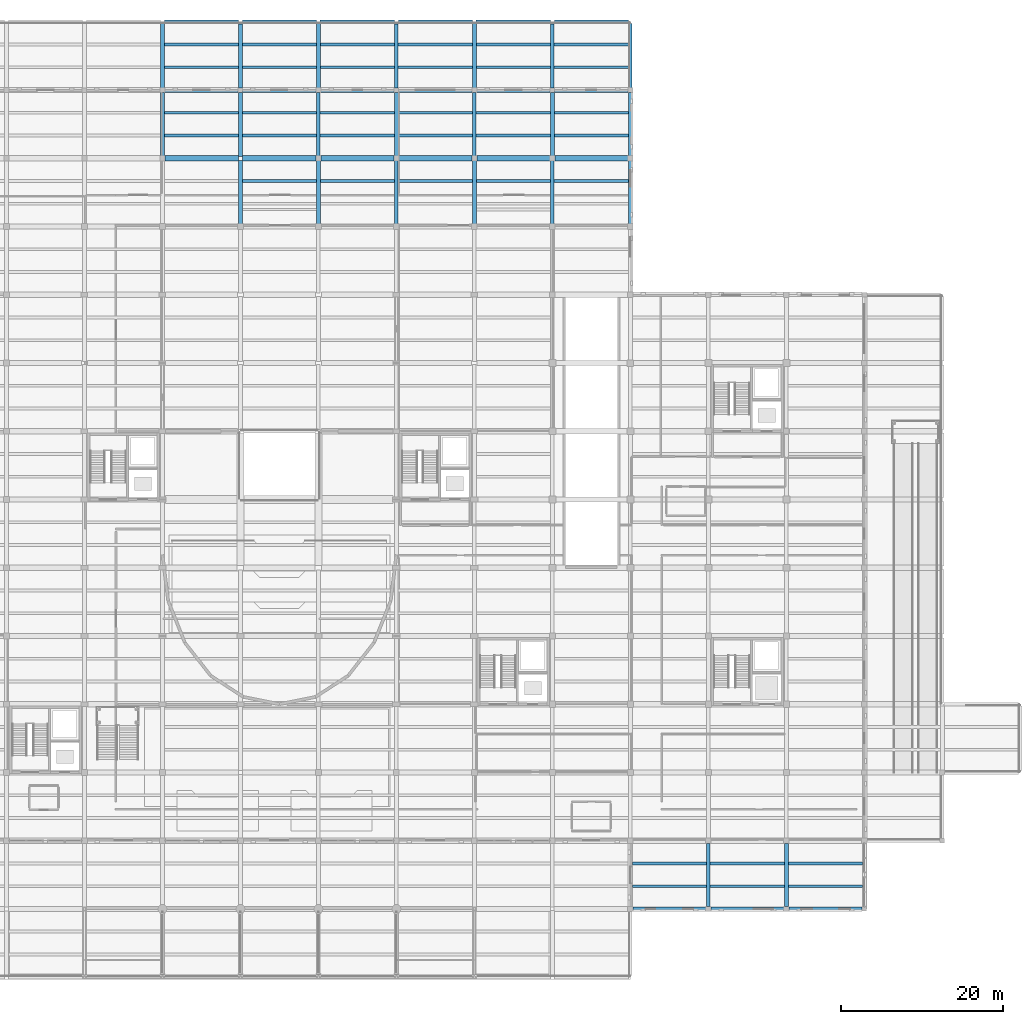
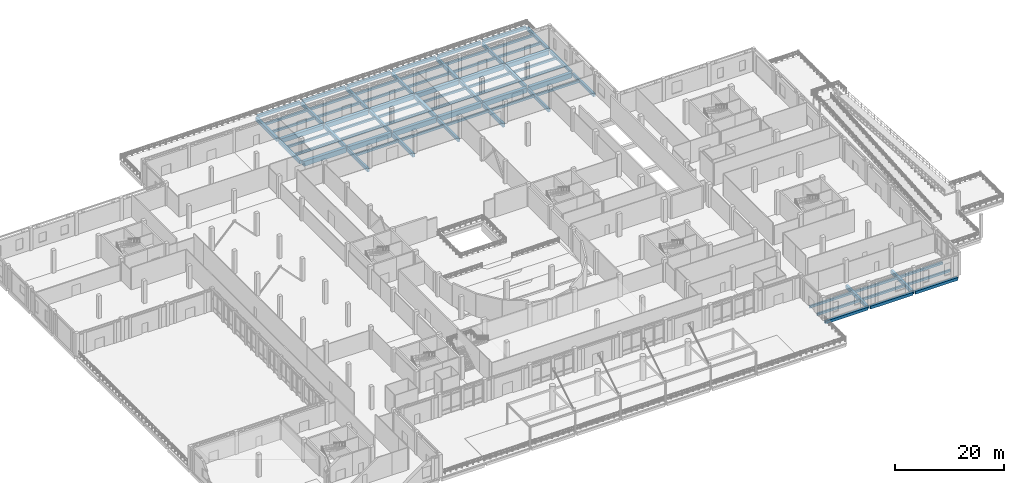
# One storey, part 34 of 71: 78 beams.
"""IFC4 building model written with IfcOpenShell, lengths in metres."""

from ifc_helpers import new_model, si_unit, direction, frame, origin, origin_2d, place, context, subcontext, project, spatial, rectangle, extrude, material, material_profile, profile_set, type_object, element, save


model = new_model("IFC4")

# Units and contexts
model_context = context("Model", 3, precision=1e-05, world=origin(), true_north=direction((0.0, 1.0)))
body_context = subcontext(model_context, "Body", "Model", "MODEL_VIEW")
ifc_project = project(units=[si_unit("LENGTHUNIT", "METRE"), si_unit("AREAUNIT", "SQUARE_METRE"), si_unit("VOLUMEUNIT", "CUBIC_METRE"), si_unit("PLANEANGLEUNIT", "RADIAN"), si_unit("MASSUNIT", "GRAM", prefix="KILO")], contexts=[model_context])

# Site, building, storey
site_placement = place(None, origin())
site = spatial("IfcSite", under=ifc_project, at=site_placement, CompositionType="ELEMENT")
building_placement = place(site_placement, origin())
building = spatial("IfcBuilding", under=site, at=building_placement, Name="Lornevale Opera House", CompositionType="ELEMENT")
storey_placement = place(building_placement, origin())
storey = spatial("IfcBuildingStorey", under=building, at=storey_placement, Name="L01", CompositionType="ELEMENT", Elevation=0.0)

# Beams
ifc_material_1 = material(Name="Concrete 35 MPa (CSA A23.1 N)", Category="concrete")
ifc_material_profile_1 = material_profile(ifc_material_1, rectangle(XDim=0.449951171875, YDim=0.75, at=origin_2d()), Name="RC450x750")
ifc_profile_set_1 = profile_set([ifc_material_profile_1], Name="Concrete 35 MPa (CSA A23.1 N)")
beam_type_1 = type_object("IfcBeamType", Name="Concrete Floor Beam 450x750", PredefinedType="USERDEFINED", material=ifc_profile_set_1)
for number, where, z_axis, x_axis, name in (
    (1, (67.199951171875, 101.10009765625, -0.735107421875), (0.0, 1.0, 0.0), (-1.0, 0.0, 0.0), "Concrete Floor Beam 450x750 1171"),
    (2, (76.800048828125, 92.72509765625, -0.81494140625), (0.0, 1.0, 0.0), (-1.0, 0.0, 0.0), "Concrete Floor Beam 450x750 1183"),
):
    element("IfcBeam", number, at=place(storey_placement, frame(where, z_axis=z_axis, x_axis=x_axis)), inside=storey, type_object=beam_type_1, Name=name, ObjectType="GIRDER", PredefinedType="USERDEFINED", context=body_context, shape_type="SweptSolid", body=[
        extrude(rectangle(XDim=0.449951171875, YDim=0.75, at=origin_2d()), origin(), (0.0, 0.0, 1.0), 7.824951171875),
    ])
beam_1_placement = place(storey_placement, frame((76.800048828125, 109.47509765625, -0.735107421875), z_axis=(0.0, 1.0, 0.0), x_axis=(-1.0, 0.0, 0.0)))
element("IfcBeam", 3, at=beam_1_placement, inside=storey, type_object=beam_type_1, Name="Concrete Floor Beam 450x750 1185", ObjectType="GIRDER", PredefinedType="USERDEFINED", context=body_context, shape_type="SweptSolid", body=[
    extrude(rectangle(XDim=0.449951171875, YDim=0.75, at=origin_2d()), origin(), (0.0, 0.0, 1.0), 7.875),
])
beam_2_placement = place(storey_placement, frame((86.39990234375, 101.10009765625, -0.735107421875), z_axis=(0.0, 1.0, 0.0), x_axis=(-1.0, 0.0, 0.0)))
element("IfcBeam", 4, at=beam_2_placement, inside=storey, type_object=beam_type_1, Name="Concrete Floor Beam 450x750 1197", ObjectType="GIRDER", PredefinedType="USERDEFINED", context=body_context, shape_type="SweptSolid", body=[
    extrude(rectangle(XDim=0.449951171875, YDim=0.75, at=origin_2d()), origin(), (0.0, 0.0, 1.0), 7.824951171875),
])
beam_3_placement = place(storey_placement, frame((96.0, 92.72509765625, -0.81494140625), z_axis=(0.0, 1.0, 0.0), x_axis=(-1.0, 0.0, 0.0)))
element("IfcBeam", 5, at=beam_3_placement, inside=storey, type_object=beam_type_1, Name="Concrete Floor Beam 450x750 1210", ObjectType="GIRDER", PredefinedType="USERDEFINED", context=body_context, shape_type="SweptSolid", body=[
    extrude(rectangle(XDim=0.449951171875, YDim=0.75, at=origin_2d()), origin(), (0.0, 0.0, 1.0), 7.77490234375),
])
beam_4_placement = place(storey_placement, frame((96.0, 109.47509765625, -0.735107421875), z_axis=(0.0, 1.0, 0.0), x_axis=(-1.0, 0.0, 0.0)))
element("IfcBeam", 6, at=beam_4_placement, inside=storey, type_object=beam_type_1, Name="Concrete Floor Beam 450x750 1212", ObjectType="GIRDER", PredefinedType="USERDEFINED", context=body_context, shape_type="SweptSolid", body=[
    extrude(rectangle(XDim=0.449951171875, YDim=0.75, at=origin_2d()), origin(), (0.0, 0.0, 1.0), 7.875),
])
beam_5_placement = place(storey_placement, frame((105.60009765625, 101.10009765625, -0.735107421875), z_axis=(0.0, 1.0, 0.0), x_axis=(-1.0, 0.0, 0.0)))
element("IfcBeam", 7, at=beam_5_placement, inside=storey, type_object=beam_type_1, Name="Concrete Floor Beam 450x750 1225", ObjectType="GIRDER", PredefinedType="USERDEFINED", context=body_context, shape_type="SweptSolid", body=[
    extrude(rectangle(XDim=0.449951171875, YDim=0.75, at=origin_2d()), origin(), (0.0, 0.0, 1.0), 7.824951171875),
])
beam_6_placement = place(storey_placement, frame((115.199951171875, 92.72509765625, -0.81494140625), z_axis=(0.0, 1.0, 0.0), x_axis=(-1.0, 0.0, 0.0)))
element("IfcBeam", 8, at=beam_6_placement, inside=storey, type_object=beam_type_1, Name="Concrete Floor Beam 450x750 1238", ObjectType="GIRDER", PredefinedType="USERDEFINED", context=body_context, shape_type="SweptSolid", body=[
    extrude(rectangle(XDim=0.449951171875, YDim=0.75, at=origin_2d()), origin(), (0.0, 0.0, 1.0), 7.77490234375),
])
beam_7_placement = place(storey_placement, frame((115.199951171875, 109.47509765625, -0.735107421875), z_axis=(0.0, 1.0, 0.0), x_axis=(-1.0, 0.0, 0.0)))
element("IfcBeam", 9, at=beam_7_placement, inside=storey, type_object=beam_type_1, Name="Concrete Floor Beam 450x750 1240", ObjectType="GIRDER", PredefinedType="USERDEFINED", context=body_context, shape_type="SweptSolid", body=[
    extrude(rectangle(XDim=0.449951171875, YDim=0.75, at=origin_2d()), origin(), (0.0, 0.0, 1.0), 7.875),
])
beam_8_placement = place(storey_placement, frame((134.39990234375, 8.699951171875, -0.81494140625), z_axis=(0.0, 1.0, 0.0), x_axis=(-1.0, 0.0, 0.0)))
element("IfcBeam", 10, at=beam_8_placement, inside=storey, type_object=beam_type_1, Name="Concrete Floor Beam 450x750 1255", ObjectType="GIRDER", PredefinedType="USERDEFINED", context=body_context, shape_type="SweptSolid", body=[
    extrude(rectangle(XDim=0.449951171875, YDim=0.75, at=origin_2d()), origin(), (0.0, 0.0, 1.0), 7.775146484375),
])
ifc_material_profile_2 = material_profile(ifc_material_1, rectangle(XDim=0.5, YDim=0.800048828125, at=origin_2d()), Name="RC500x800")
ifc_profile_set_2 = profile_set([ifc_material_profile_2], Name="Concrete 35 MPa (CSA A23.1 N)")
beam_type_2 = type_object("IfcBeamType", Name="Concrete Floor Beam 500x800", PredefinedType="USERDEFINED", material=ifc_profile_set_2)
beam_9_placement = place(storey_placement, frame((67.199951171875, 109.47509765625, -0.760009765625), z_axis=(0.0, 1.0, 0.0), x_axis=(-1.0, 0.0, 0.0)))
element("IfcBeam", 11, at=beam_9_placement, inside=storey, type_object=beam_type_2, Name="Concrete Floor Beam 500x800 1172", ObjectType="GIRDER", PredefinedType="USERDEFINED", context=body_context, shape_type="SweptSolid", body=[
    extrude(rectangle(XDim=0.5, YDim=0.800048828125, at=origin_2d()), origin(), (0.0, 0.0, 1.0), 7.89990234375),
])
beam_10_placement = place(storey_placement, frame((76.800048828125, 101.050048828125, -0.760009765625), z_axis=(0.0, 1.0, 0.0), x_axis=(-1.0, 0.0, 0.0)))
element("IfcBeam", 12, at=beam_10_placement, inside=storey, type_object=beam_type_2, Name="Concrete Floor Beam 500x800 1184", ObjectType="GIRDER", PredefinedType="USERDEFINED", context=body_context, shape_type="SweptSolid", body=[
    extrude(rectangle(XDim=0.5, YDim=0.800048828125, at=origin_2d()), origin(), (0.0, 0.0, 1.0), 7.875),
])
beam_11_placement = place(storey_placement, frame((86.39990234375, 92.72509765625, -0.840087890625), z_axis=(0.0, 1.0, 0.0), x_axis=(-1.0, 0.0, 0.0)))
element("IfcBeam", 13, at=beam_11_placement, inside=storey, type_object=beam_type_2, Name="Concrete Floor Beam 500x800 1196", ObjectType="GIRDER", PredefinedType="USERDEFINED", context=body_context, shape_type="SweptSolid", body=[
    extrude(rectangle(XDim=0.5, YDim=0.800048828125, at=origin_2d()), origin(), (0.0, 0.0, 1.0), 7.77490234375),
])
beam_12_placement = place(storey_placement, frame((86.39990234375, 109.47509765625, -0.760009765625), z_axis=(0.0, 1.0, 0.0), x_axis=(-1.0, 0.0, 0.0)))
element("IfcBeam", 14, at=beam_12_placement, inside=storey, type_object=beam_type_2, Name="Concrete Floor Beam 500x800 1198", ObjectType="GIRDER", PredefinedType="USERDEFINED", context=body_context, shape_type="SweptSolid", body=[
    extrude(rectangle(XDim=0.5, YDim=0.800048828125, at=origin_2d()), origin(), (0.0, 0.0, 1.0), 7.89990234375),
])
beam_13_placement = place(storey_placement, frame((96.0, 101.10009765625, -0.760009765625), z_axis=(0.0, 1.0, 0.0), x_axis=(-1.0, 0.0, 0.0)))
element("IfcBeam", 15, at=beam_13_placement, inside=storey, type_object=beam_type_2, Name="Concrete Floor Beam 500x800 1211", ObjectType="GIRDER", PredefinedType="USERDEFINED", context=body_context, shape_type="SweptSolid", body=[
    extrude(rectangle(XDim=0.5, YDim=0.800048828125, at=origin_2d()), origin(), (0.0, 0.0, 1.0), 7.824951171875),
])
beam_14_placement = place(storey_placement, frame((105.60009765625, 92.72509765625, -0.840087890625), z_axis=(0.0, 1.0, 0.0), x_axis=(-1.0, 0.0, 0.0)))
element("IfcBeam", 16, at=beam_14_placement, inside=storey, type_object=beam_type_2, Name="Concrete Floor Beam 500x800 1224", ObjectType="GIRDER", PredefinedType="USERDEFINED", context=body_context, shape_type="SweptSolid", body=[
    extrude(rectangle(XDim=0.5, YDim=0.800048828125, at=origin_2d()), origin(), (0.0, 0.0, 1.0), 7.77490234375),
])
beam_15_placement = place(storey_placement, frame((105.60009765625, 109.47509765625, -0.760009765625), z_axis=(0.0, 1.0, 0.0), x_axis=(-1.0, 0.0, 0.0)))
element("IfcBeam", 17, at=beam_15_placement, inside=storey, type_object=beam_type_2, Name="Concrete Floor Beam 500x800 1226", ObjectType="GIRDER", PredefinedType="USERDEFINED", context=body_context, shape_type="SweptSolid", body=[
    extrude(rectangle(XDim=0.5, YDim=0.800048828125, at=origin_2d()), origin(), (0.0, 0.0, 1.0), 7.89990234375),
])
beam_16_placement = place(storey_placement, frame((115.199951171875, 101.10009765625, -0.760009765625), z_axis=(0.0, 1.0, 0.0), x_axis=(-1.0, 0.0, 0.0)))
element("IfcBeam", 18, at=beam_16_placement, inside=storey, type_object=beam_type_2, Name="Concrete Floor Beam 500x800 1239", ObjectType="GIRDER", PredefinedType="USERDEFINED", context=body_context, shape_type="SweptSolid", body=[
    extrude(rectangle(XDim=0.5, YDim=0.800048828125, at=origin_2d()), origin(), (0.0, 0.0, 1.0), 7.824951171875),
])
beam_17_placement = place(storey_placement, frame((144.0, 8.699951171875, -0.840087890625), z_axis=(0.0, 1.0, 0.0), x_axis=(-1.0, 0.0, 0.0)))
element("IfcBeam", 19, at=beam_17_placement, inside=storey, type_object=beam_type_2, Name="Concrete Floor Beam 500x800 1264", ObjectType="GIRDER", PredefinedType="USERDEFINED", context=body_context, shape_type="SweptSolid", body=[
    extrude(rectangle(XDim=0.5, YDim=0.800048828125, at=origin_2d()), origin(), (0.0, 0.0, 1.0), 7.775146484375),
])
ifc_material_2 = material(Name="Concrete 40 MPa (CSA A23.1 C-1)", Category="concrete")
ifc_material_profile_3 = material_profile(ifc_material_2, rectangle(XDim=0.64990234375, YDim=1.0, at=origin_2d()), Name="RC650x1000")
ifc_profile_set_3 = profile_set([ifc_material_profile_3], Name="Concrete 40 MPa (CSA A23.1 C-1)")
beam_type_3 = type_object("IfcBeamType", Name="Concrete Primary Girder 650x1000", PredefinedType="USERDEFINED", material=ifc_profile_set_3)
beam_18_placement = place(storey_placement, frame((67.47509765625, 109.199951171875, -0.860107421875), z_axis=(1.0, 0.0, 0.0), x_axis=(0.0, 1.0, 0.0)))
element("IfcBeam", 20, at=beam_18_placement, inside=storey, type_object=beam_type_3, Name="Concrete Primary Girder 650x1000 1054", ObjectType="GIRDER", PredefinedType="USERDEFINED", context=body_context, shape_type="SweptSolid", body=[
    extrude(rectangle(XDim=0.64990234375, YDim=1.0, at=origin_2d()), origin(), (0.0, 0.0, 1.0), 9.0498046875),
])
for number, where, z_axis, x_axis, name in (
    (21, (77.074951171875, 109.199951171875, -0.860107421875), (1.0, 0.0, 0.0), (0.0, 1.0, 0.0), "Concrete Primary Girder 650x1000 1055"),
    (22, (86.675048828125, 109.199951171875, -0.860107421875), (1.0, 0.0, 0.0), (0.0, 1.0, 0.0), "Concrete Primary Girder 650x1000 1056"),
    (23, (96.27490234375, 109.199951171875, -0.860107421875), (1.0, 0.0, 0.0), (0.0, 1.0, 0.0), "Concrete Primary Girder 650x1000 1057"),
    (24, (105.875, 109.199951171875, -0.860107421875), (1.0, 0.0, 0.0), (0.0, 1.0, 0.0), "Concrete Primary Girder 650x1000 1058"),
):
    element("IfcBeam", number, at=place(storey_placement, frame(where, z_axis=z_axis, x_axis=x_axis)), inside=storey, type_object=beam_type_3, Name=name, ObjectType="GIRDER", PredefinedType="USERDEFINED", context=body_context, shape_type="SweptSolid", body=[
        extrude(rectangle(XDim=0.64990234375, YDim=1.0, at=origin_2d()), origin(), (0.0, 0.0, 1.0), 9.050048828125),
    ])
beam_19_placement = place(storey_placement, frame((115.47509765625, 109.199951171875, -0.860107421875), z_axis=(1.0, 0.0, 0.0), x_axis=(0.0, 1.0, 0.0)))
element("IfcBeam", 25, at=beam_19_placement, inside=storey, type_object=beam_type_3, Name="Concrete Primary Girder 650x1000 1059", ObjectType="GIRDER", PredefinedType="USERDEFINED", context=body_context, shape_type="SweptSolid", body=[
    extrude(rectangle(XDim=0.64990234375, YDim=1.0, at=origin_2d()), origin(), (0.0, 0.0, 1.0), 9.0498046875),
])
ifc_material_profile_4 = material_profile(ifc_material_2, rectangle(XDim=0.699951171875, YDim=1.10009765625, at=origin_2d()), Name="RC700x1100")
ifc_profile_set_4 = profile_set([ifc_material_profile_4], Name="Concrete 40 MPa (CSA A23.1 C-1)")
beam_type_4 = type_object("IfcBeamType", Name="Concrete Primary Girder 700x1100", PredefinedType="USERDEFINED", material=ifc_profile_set_4)
for number, where, z_axis, x_axis, name in (
    (26, (67.5, 100.800048828125, -0.909912109375), (1.0, 0.0, 0.0), (0.0, 1.0, 0.0), "Concrete Primary Girder 700x1100 1045"),
    (27, (77.050048828125, 100.800048828125, -0.909912109375), (1.0, 0.0, 0.0), (0.0, 1.0, 0.0), "Concrete Primary Girder 700x1100 1046"),
):
    element("IfcBeam", number, at=place(storey_placement, frame(where, z_axis=z_axis, x_axis=x_axis)), inside=storey, type_object=beam_type_4, Name=name, ObjectType="GIRDER", PredefinedType="USERDEFINED", context=body_context, shape_type="SweptSolid", body=[
        extrude(rectangle(XDim=0.699951171875, YDim=1.10009765625, at=origin_2d()), origin(), (0.0, 0.0, 1.0), 9.050048828125),
    ])
for number, where, z_axis, x_axis, name in (
    (28, (86.699951171875, 100.800048828125, -0.909912109375), (1.0, 0.0, 0.0), (0.0, 1.0, 0.0), "Concrete Primary Girder 700x1100 1047"),
    (29, (96.300048828125, 100.800048828125, -0.909912109375), (1.0, 0.0, 0.0), (0.0, 1.0, 0.0), "Concrete Primary Girder 700x1100 1048"),
    (30, (105.89990234375, 100.800048828125, -0.909912109375), (1.0, 0.0, 0.0), (0.0, 1.0, 0.0), "Concrete Primary Girder 700x1100 1049"),
    (31, (115.5, 100.800048828125, -0.909912109375), (1.0, 0.0, 0.0), (0.0, 1.0, 0.0), "Concrete Primary Girder 700x1100 1050"),
):
    element("IfcBeam", number, at=place(storey_placement, frame(where, z_axis=z_axis, x_axis=x_axis)), inside=storey, type_object=beam_type_4, Name=name, ObjectType="GIRDER", PredefinedType="USERDEFINED", context=body_context, shape_type="SweptSolid", body=[
        extrude(rectangle(XDim=0.699951171875, YDim=1.10009765625, at=origin_2d()), origin(), (0.0, 0.0, 1.0), 9.0),
    ])
ifc_material_profile_5 = material_profile(ifc_material_1, rectangle(XDim=0.35009765625, YDim=0.5, at=origin_2d()), Name="RC350x500")
ifc_profile_set_5 = profile_set([ifc_material_profile_5], Name="Concrete 35 MPa (CSA A23.1 N)")
beam_type_5 = type_object("IfcBeamType", Name="Concrete Secondary Rib 350x500", PredefinedType="JOIST", material=ifc_profile_set_5)
for number, where, z_axis, x_axis, name in (
    (32, (67.425048828125, 103.60009765625, -0.610107421875), (1.0, 0.0, 0.0), (0.0, 1.0, 0.0), "Concrete Secondary Rib 350x500 1483"),
    (33, (67.425048828125, 106.39990234375, -0.610107421875), (1.0, 0.0, 0.0), (0.0, 1.0, 0.0), "Concrete Secondary Rib 350x500 1484"),
    (34, (67.449951171875, 112.0, -0.610107421875), (1.0, 0.0, 0.0), (0.0, 1.0, 0.0), "Concrete Secondary Rib 350x500 1485"),
    (35, (67.449951171875, 114.800048828125, -0.610107421875), (1.0, 0.0, 0.0), (0.0, 1.0, 0.0), "Concrete Secondary Rib 350x500 1486"),
    (36, (77.02490234375, 98.0, -0.68994140625), (1.0, 0.0, 0.0), (0.0, 1.0, 0.0), "Concrete Secondary Rib 350x500 1508"),
    (37, (77.050048828125, 103.60009765625, -0.610107421875), (1.0, 0.0, 0.0), (0.0, 1.0, 0.0), "Concrete Secondary Rib 350x500 1509"),
    (38, (77.050048828125, 106.39990234375, -0.610107421875), (1.0, 0.0, 0.0), (0.0, 1.0, 0.0), "Concrete Secondary Rib 350x500 1510"),
    (39, (77.02490234375, 112.0, -0.610107421875), (1.0, 0.0, 0.0), (0.0, 1.0, 0.0), "Concrete Secondary Rib 350x500 1511"),
    (40, (77.02490234375, 114.800048828125, -0.610107421875), (1.0, 0.0, 0.0), (0.0, 1.0, 0.0), "Concrete Secondary Rib 350x500 1512"),
    (41, (86.64990234375, 98.0, -0.68994140625), (1.0, 0.0, 0.0), (0.0, 1.0, 0.0), "Concrete Secondary Rib 350x500 1534"),
    (42, (86.625, 103.60009765625, -0.610107421875), (1.0, 0.0, 0.0), (0.0, 1.0, 0.0), "Concrete Secondary Rib 350x500 1535"),
    (43, (86.625, 106.39990234375, -0.610107421875), (1.0, 0.0, 0.0), (0.0, 1.0, 0.0), "Concrete Secondary Rib 350x500 1536"),
    (44, (86.64990234375, 112.0, -0.610107421875), (1.0, 0.0, 0.0), (0.0, 1.0, 0.0), "Concrete Secondary Rib 350x500 1537"),
    (45, (86.64990234375, 114.800048828125, -0.610107421875), (1.0, 0.0, 0.0), (0.0, 1.0, 0.0), "Concrete Secondary Rib 350x500 1538"),
    (46, (96.22509765625, 98.0, -0.68994140625), (1.0, 0.0, 0.0), (0.0, 1.0, 0.0), "Concrete Secondary Rib 350x500 1560"),
    (47, (96.25, 103.60009765625, -0.610107421875), (1.0, 0.0, 0.0), (0.0, 1.0, 0.0), "Concrete Secondary Rib 350x500 1561"),
    (48, (96.25, 106.39990234375, -0.610107421875), (1.0, 0.0, 0.0), (0.0, 1.0, 0.0), "Concrete Secondary Rib 350x500 1562"),
    (49, (96.22509765625, 112.0, -0.610107421875), (1.0, 0.0, 0.0), (0.0, 1.0, 0.0), "Concrete Secondary Rib 350x500 1563"),
    (50, (96.22509765625, 114.800048828125, -0.610107421875), (1.0, 0.0, 0.0), (0.0, 1.0, 0.0), "Concrete Secondary Rib 350x500 1564"),
    (51, (105.85009765625, 98.0, -0.68994140625), (1.0, 0.0, 0.0), (0.0, 1.0, 0.0), "Concrete Secondary Rib 350x500 1586"),
    (52, (105.824951171875, 103.60009765625, -0.610107421875), (1.0, 0.0, 0.0), (0.0, 1.0, 0.0), "Concrete Secondary Rib 350x500 1587"),
    (53, (105.824951171875, 106.39990234375, -0.610107421875), (1.0, 0.0, 0.0), (0.0, 1.0, 0.0), "Concrete Secondary Rib 350x500 1588"),
    (54, (105.85009765625, 112.0, -0.610107421875), (1.0, 0.0, 0.0), (0.0, 1.0, 0.0), "Concrete Secondary Rib 350x500 1589"),
    (55, (105.85009765625, 114.800048828125, -0.610107421875), (1.0, 0.0, 0.0), (0.0, 1.0, 0.0), "Concrete Secondary Rib 350x500 1590"),
):
    element("IfcBeam", number, at=place(storey_placement, frame(where, z_axis=z_axis, x_axis=x_axis)), inside=storey, type_object=beam_type_5, Name=name, PredefinedType="JOIST", context=body_context, shape_type="SweptSolid", body=[
        extrude(rectangle(XDim=0.35009765625, YDim=0.5, at=origin_2d()), origin(), (0.0, 0.0, 1.0), 9.125),
    ])
beam_20_placement = place(storey_placement, frame((115.425048828125, 98.0, -0.68994140625), z_axis=(1.0, 0.0, 0.0), x_axis=(0.0, 1.0, 0.0)))
element("IfcBeam", 56, at=beam_20_placement, inside=storey, type_object=beam_type_5, Name="Concrete Secondary Rib 350x500 1606", PredefinedType="JOIST", context=body_context, shape_type="SweptSolid", body=[
    extrude(rectangle(XDim=0.35009765625, YDim=0.5, at=origin_2d()), origin(), (0.0, 0.0, 1.0), 9.14990234375),
])
for number, where, z_axis, x_axis, name in (
    (57, (115.449951171875, 103.60009765625, -0.610107421875), (1.0, 0.0, 0.0), (0.0, 1.0, 0.0), "Concrete Secondary Rib 350x500 1607"),
    (58, (115.449951171875, 106.39990234375, -0.610107421875), (1.0, 0.0, 0.0), (0.0, 1.0, 0.0), "Concrete Secondary Rib 350x500 1608"),
):
    element("IfcBeam", number, at=place(storey_placement, frame(where, z_axis=z_axis, x_axis=x_axis)), inside=storey, type_object=beam_type_5, Name=name, PredefinedType="JOIST", context=body_context, shape_type="SweptSolid", body=[
        extrude(rectangle(XDim=0.35009765625, YDim=0.5, at=origin_2d()), origin(), (0.0, 0.0, 1.0), 9.125),
    ])
for number, where, z_axis, x_axis, name in (
    (59, (115.425048828125, 112.0, -0.610107421875), (1.0, 0.0, 0.0), (0.0, 1.0, 0.0), "Concrete Secondary Rib 350x500 1609"),
    (60, (115.425048828125, 114.800048828125, -0.610107421875), (1.0, 0.0, 0.0), (0.0, 1.0, 0.0), "Concrete Secondary Rib 350x500 1610"),
):
    element("IfcBeam", number, at=place(storey_placement, frame(where, z_axis=z_axis, x_axis=x_axis)), inside=storey, type_object=beam_type_5, Name=name, PredefinedType="JOIST", context=body_context, shape_type="SweptSolid", body=[
        extrude(rectangle(XDim=0.35009765625, YDim=0.5, at=origin_2d()), origin(), (0.0, 0.0, 1.0), 9.14990234375),
    ])
for number, where, z_axis, x_axis, name in (
    (61, (125.050048828125, 11.199951171875, -0.68994140625), (1.0, 0.0, 0.0), (0.0, 1.0, 0.0), "Concrete Secondary Rib 350x500 1611"),
    (62, (125.050048828125, 14.0, -0.68994140625), (1.0, 0.0, 0.0), (0.0, 1.0, 0.0), "Concrete Secondary Rib 350x500 1612"),
    (63, (134.625, 11.199951171875, -0.68994140625), (1.0, 0.0, 0.0), (0.0, 1.0, 0.0), "Concrete Secondary Rib 350x500 1629"),
    (64, (134.625, 14.0, -0.68994140625), (1.0, 0.0, 0.0), (0.0, 1.0, 0.0), "Concrete Secondary Rib 350x500 1630"),
    (65, (144.25, 11.199951171875, -0.68994140625), (1.0, 0.0, 0.0), (0.0, 1.0, 0.0), "Concrete Secondary Rib 350x500 1643"),
    (66, (144.25, 14.0, -0.68994140625), (1.0, 0.0, 0.0), (0.0, 1.0, 0.0), "Concrete Secondary Rib 350x500 1644"),
):
    element("IfcBeam", number, at=place(storey_placement, frame(where, z_axis=z_axis, x_axis=x_axis)), inside=storey, type_object=beam_type_5, Name=name, PredefinedType="JOIST", context=body_context, shape_type="SweptSolid", body=[
        extrude(rectangle(XDim=0.35009765625, YDim=0.5, at=origin_2d()), origin(), (0.0, 0.0, 1.0), 9.125),
    ])
ifc_material_profile_6 = material_profile(ifc_material_1, rectangle(XDim=0.449951171875, YDim=0.64990234375, at=origin_2d()), Name="RC450x650")
ifc_profile_set_6 = profile_set([ifc_material_profile_6], Name="Concrete 35 MPa (CSA A23.1 N)")
beam_type_6 = type_object("IfcBeamType", Name="Concrete Spandrel Beam 450x650", PredefinedType="SPANDREL", material=ifc_profile_set_6)
for number, where, z_axis, x_axis, name in (
    (67, (125.10009765625, 8.39990234375, -0.764892578125), (1.0, 0.0, 0.0), (0.0, 1.0, 0.0), "Concrete Spandrel Beam 450x650 0869"),
    (68, (134.699951171875, 8.39990234375, -0.764892578125), (1.0, 0.0, 0.0), (0.0, 1.0, 0.0), "Concrete Spandrel Beam 450x650 0870"),
):
    element("IfcBeam", number, at=place(storey_placement, frame(where, z_axis=z_axis, x_axis=x_axis)), inside=storey, type_object=beam_type_6, Name=name, PredefinedType="SPANDREL", context=body_context, shape_type="SweptSolid", body=[
        extrude(rectangle(XDim=0.449951171875, YDim=0.64990234375, at=origin_2d()), origin(), (0.0, 0.0, 1.0), 9.0),
    ])
beam_21_placement = place(storey_placement, frame((144.300048828125, 8.39990234375, -0.764892578125), z_axis=(1.0, 0.0, 0.0), x_axis=(0.0, 1.0, 0.0)))
element("IfcBeam", 69, at=beam_21_placement, inside=storey, type_object=beam_type_6, Name="Concrete Spandrel Beam 450x650 0871", PredefinedType="SPANDREL", context=body_context, shape_type="SweptSolid", body=[
    extrude(rectangle(XDim=0.449951171875, YDim=0.64990234375, at=origin_2d()), origin(), (0.0, 0.0, 1.0), 9.02490234375),
])
for number, where, z_axis, x_axis, name in (
    (70, (67.425048828125, 117.60009765625, -0.574951171875), (1.0, 0.0, 0.0), (0.0, 1.0, 0.0), "Concrete Spandrel Beam 450x650 1063"),
    (71, (77.050048828125, 117.60009765625, -0.574951171875), (1.0, 0.0, 0.0), (0.0, 1.0, 0.0), "Concrete Spandrel Beam 450x650 1064"),
    (72, (86.625, 117.60009765625, -0.574951171875), (1.0, 0.0, 0.0), (0.0, 1.0, 0.0), "Concrete Spandrel Beam 450x650 1065"),
    (73, (96.25, 117.60009765625, -0.574951171875), (1.0, 0.0, 0.0), (0.0, 1.0, 0.0), "Concrete Spandrel Beam 450x650 1066"),
    (74, (105.824951171875, 117.60009765625, -0.574951171875), (1.0, 0.0, 0.0), (0.0, 1.0, 0.0), "Concrete Spandrel Beam 450x650 1067"),
    (75, (115.449951171875, 117.60009765625, -0.574951171875), (1.0, 0.0, 0.0), (0.0, 1.0, 0.0), "Concrete Spandrel Beam 450x650 1068"),
):
    element("IfcBeam", number, at=place(storey_placement, frame(where, z_axis=z_axis, x_axis=x_axis)), inside=storey, type_object=beam_type_6, Name=name, PredefinedType="SPANDREL", context=body_context, shape_type="SweptSolid", body=[
        extrude(rectangle(XDim=0.449951171875, YDim=0.64990234375, at=origin_2d()), origin(), (0.0, 0.0, 1.0), 9.125),
    ])
beam_22_placement = place(storey_placement, frame((124.800048828125, 92.72509765625, -0.764892578125), z_axis=(0.0, 1.0, 0.0), x_axis=(-1.0, 0.0, 0.0)))
element("IfcBeam", 76, at=beam_22_placement, inside=storey, type_object=beam_type_6, Name="Concrete Spandrel Beam 450x650 1252", PredefinedType="SPANDREL", context=body_context, shape_type="SweptSolid", body=[
    extrude(rectangle(XDim=0.449951171875, YDim=0.64990234375, at=origin_2d()), origin(), (0.0, 0.0, 1.0), 7.77490234375),
])
beam_23_placement = place(storey_placement, frame((124.800048828125, 101.10009765625, -0.68505859375), z_axis=(0.0, 1.0, 0.0), x_axis=(-1.0, 0.0, 0.0)))
element("IfcBeam", 77, at=beam_23_placement, inside=storey, type_object=beam_type_6, Name="Concrete Spandrel Beam 450x650 1253", PredefinedType="SPANDREL", context=body_context, shape_type="SweptSolid", body=[
    extrude(rectangle(XDim=0.449951171875, YDim=0.64990234375, at=origin_2d()), origin(), (0.0, 0.0, 1.0), 7.824951171875),
])
beam_24_placement = place(storey_placement, frame((124.800048828125, 109.47509765625, -0.68505859375), z_axis=(0.0, 1.0, 0.0), x_axis=(-1.0, 0.0, 0.0)))
element("IfcBeam", 78, at=beam_24_placement, inside=storey, type_object=beam_type_6, Name="Concrete Spandrel Beam 450x650 1254", PredefinedType="SPANDREL", context=body_context, shape_type="SweptSolid", body=[
    extrude(rectangle(XDim=0.449951171875, YDim=0.64990234375, at=origin_2d()), origin(), (0.0, 0.0, 1.0), 7.89990234375),
])

save(model, "model.ifc")
